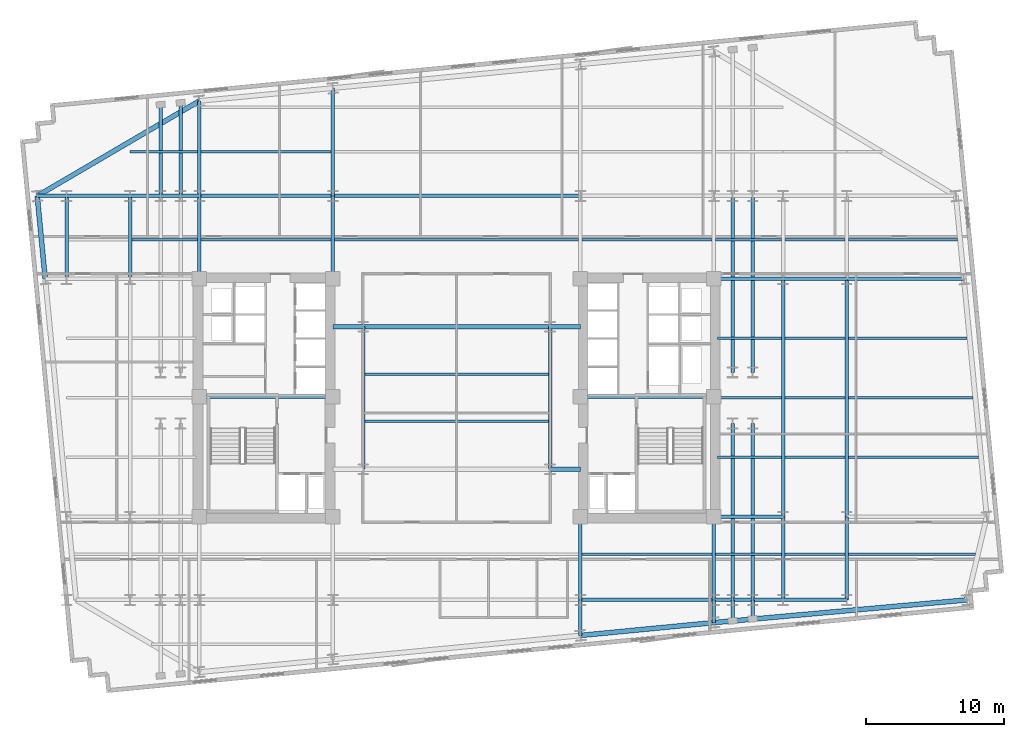
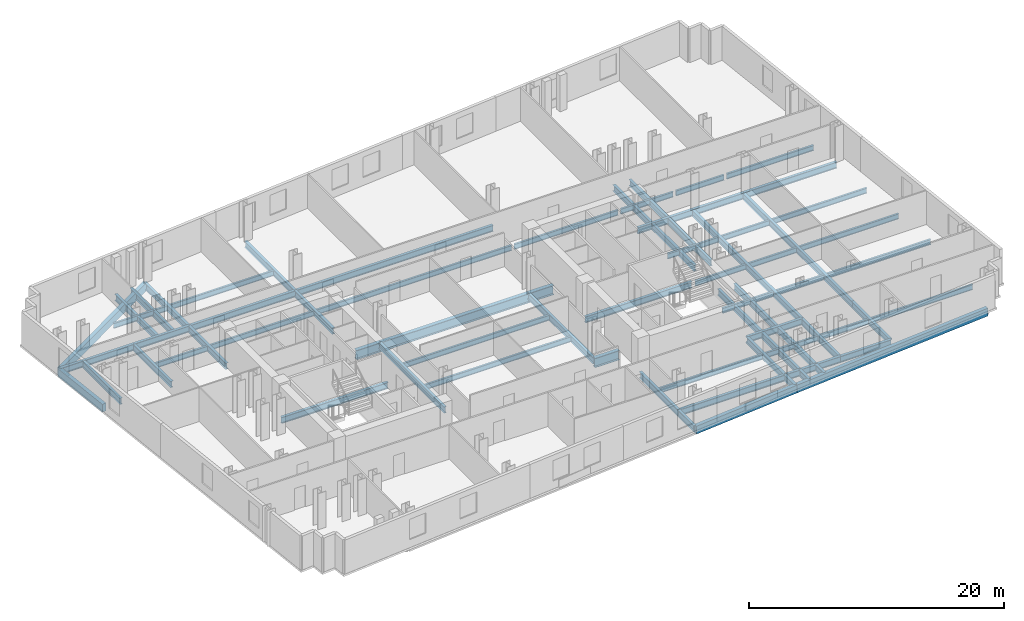
# One storey, part 2 of 11: 70 beams.
"""IFC4 building model written with IfcOpenShell, lengths in metres."""

from ifc_helpers import new_model, si_unit, direction, frame, origin, origin_2d, place, context, subcontext, project, spatial, rectangle, i_section, extrude, material, material_profile, profile_set, type_object, element, save


model = new_model("IFC4")

# Units and contexts
model_context = context("Model", 3, precision=1e-05, world=origin(), true_north=direction((0.0, 1.0)))
body_context = subcontext(model_context, "Body", "Model", "MODEL_VIEW")
ifc_project = project(units=[si_unit("LENGTHUNIT", "METRE"), si_unit("AREAUNIT", "SQUARE_METRE"), si_unit("VOLUMEUNIT", "CUBIC_METRE"), si_unit("PLANEANGLEUNIT", "RADIAN"), si_unit("MASSUNIT", "GRAM", prefix="KILO")], contexts=[model_context])

# Site, building, storey
site_placement = place(None, origin())
site = spatial("IfcSite", under=ifc_project, at=site_placement, CompositionType="ELEMENT")
building_placement = place(site_placement, origin())
building = spatial("IfcBuilding", under=site, at=building_placement, Name="Velakula Bourse", CompositionType="ELEMENT")
storey_placement = place(building_placement, frame((0.0, 0.0, 105.25)))
storey = spatial("IfcBuildingStorey", under=building, at=storey_placement, Name="L28", CompositionType="ELEMENT", Elevation=105.25)

# Beams
ifc_material_1 = material(Name="Steel IS 2062 Grade 350 (E350)", Category="steel")
ifc_material_profile_1 = material_profile(ifc_material_1, i_section(OverallWidth=0.25, OverallDepth=0.60009765625, WebThickness=0.01171875, FlangeThickness=0.023681640625, at=origin_2d()), Name="Steel IS 2062 Grade 350 (E350)")
ifc_profile_set_1 = profile_set([ifc_material_profile_1], Name="Steel IS 2062 Grade 350 (E350)")
beam_type_1 = type_object("IfcBeamType", Name="BM-GRD-600H", PredefinedType="BEAM", material=ifc_profile_set_1)
for number, where, z_axis, x_axis, name in (
    (1, (-18.60009765625, 0.10009765625, -0.47998046875), (1.0, 0.0, 0.0), (0.0, 1.0, 0.0), "L28 Primary Backbone Girder CRW-M"),
    (2, (8.949951171875, 0.10009765625, -0.47998046875), (1.0, 0.0, 0.0), (0.0, 1.0, 0.0), "L28 Primary Backbone Girder CRE-M"),
):
    element("IfcBeam", number, at=place(storey_placement, frame(where, z_axis=z_axis, x_axis=x_axis)), inside=storey, type_object=beam_type_1, Name=name, PredefinedType="BEAM", context=body_context, shape_type="SweptSolid", body=[
        extrude(i_section(OverallWidth=0.25, OverallDepth=0.60009765625, WebThickness=0.01171875, FlangeThickness=0.023681640625, at=origin_2d()), origin(), (0.0, 0.0, 1.0), 9.650146484375),
    ])
for number, where, z_axis, x_axis, name in (
    (3, (-6.75, -5.14990234375, -0.47998046875), (0.0, 1.0, 0.0), (-1.0, 0.0, 0.0), "L28 Primary Backbone Girder SPN-W"),
    (4, (6.75, -5.14990234375, -0.47998046875), (0.0, 1.0, 0.0), (-1.0, 0.0, 0.0), "L28 Primary Backbone Girder SPN-E"),
):
    element("IfcBeam", number, at=place(storey_placement, frame(where, z_axis=z_axis, x_axis=x_axis)), inside=storey, type_object=beam_type_1, Name=name, PredefinedType="BEAM", context=body_context, shape_type="SweptSolid", body=[
        extrude(i_section(OverallWidth=0.25, OverallDepth=0.60009765625, WebThickness=0.01171875, FlangeThickness=0.023681640625, at=origin_2d()), origin(), (0.0, 0.0, 1.0), 10.2998046875),
    ])
for number, where, z_axis, x_axis, name in (
    (5, (-18.60009765625, 8.60009765625, -0.47998046875), (0.0, 1.0, 0.0), (-1.0, 0.0, 0.0), "L28 Fulcrum Grid Girder FLC-WN"),
    (6, (-8.949951171875, 8.60009765625, -0.47998046875), (0.0, 1.0, 0.0), (-1.0, 0.0, 0.0), "L28 Fulcrum Grid Girder FLC-WCN"),
    (7, (8.949951171875, -14.60009765625, -0.47998046875), (0.0, 1.0, 0.0), (-1.0, 0.0, 0.0), "L28 Fulcrum Grid Girder FLC-ECS"),
    (8, (18.60009765625, -14.60009765625, -0.47998046875), (0.0, 1.0, 0.0), (-1.0, 0.0, 0.0), "L28 Fulcrum Grid Girder FLC-ES"),
):
    element("IfcBeam", number, at=place(storey_placement, frame(where, z_axis=z_axis, x_axis=x_axis)), inside=storey, type_object=beam_type_1, Name=name, PredefinedType="BEAM", context=body_context, shape_type="SweptSolid", body=[
        extrude(i_section(OverallWidth=0.25, OverallDepth=0.60009765625, WebThickness=0.01171875, FlangeThickness=0.023681640625, at=origin_2d()), origin(), (0.0, 0.0, 1.0), 6.0),
    ])
for number, where, z_axis, x_axis, name in (
    (9, (8.949951171875, -14.60009765625, -0.47998046875), (1.0, 0.0, 0.0), (0.0, 1.0, 0.0), "L28 Fulcrum Grid Girder FLC-S3"),
    (10, (-18.60009765625, 14.60009765625, -0.47998046875), (1.0, 0.0, 0.0), (0.0, 1.0, 0.0), "L28 Fulcrum Grid Girder FLC-N1"),
):
    element("IfcBeam", number, at=place(storey_placement, frame(where, z_axis=z_axis, x_axis=x_axis)), inside=storey, type_object=beam_type_1, Name=name, PredefinedType="BEAM", context=body_context, shape_type="SweptSolid", body=[
        extrude(i_section(OverallWidth=0.25, OverallDepth=0.60009765625, WebThickness=0.01171875, FlangeThickness=0.023681640625, at=origin_2d()), origin(), (0.0, 0.0, 1.0), 9.650146484375),
    ])
beam_1_placement = place(storey_placement, frame((-8.949951171875, 14.60009765625, -0.47998046875), z_axis=(1.0, 0.0, 0.0), x_axis=(0.0, 1.0, 0.0)))
element("IfcBeam", 11, at=beam_1_placement, inside=storey, type_object=beam_type_1, Name="L28 Fulcrum Grid Girder FLC-N2", PredefinedType="BEAM", context=body_context, shape_type="SweptSolid", body=[
    extrude(i_section(OverallWidth=0.25, OverallDepth=0.60009765625, WebThickness=0.01171875, FlangeThickness=0.023681640625, at=origin_2d()), origin(), (0.0, 0.0, 1.0), 17.89990234375),
])
for number, where, z_axis, x_axis, name in (
    (12, (19.949951171875, -14.60009765625, -0.47998046875), (0.0, 1.0, 0.0), (-1.0, 0.0, 0.0), "L28 Fulcrum Grid Girder FLC-PSE1"),
    (13, (19.949951171875, 1.85009765625, -0.47998046875), (0.0, 1.0, 0.0), (-1.0, 0.0, 0.0), "L28 Fulcrum Grid Girder FLC-PNE1"),
    (14, (21.39990234375, -14.60009765625, -0.47998046875), (0.0, 1.0, 0.0), (-1.0, 0.0, 0.0), "L28 Fulcrum Grid Girder FLC-PSE2"),
    (15, (21.39990234375, 1.85009765625, -0.47998046875), (0.0, 1.0, 0.0), (-1.0, 0.0, 0.0), "L28 Fulcrum Grid Girder FLC-PNE2"),
):
    element("IfcBeam", number, at=place(storey_placement, frame(where, z_axis=z_axis, x_axis=x_axis)), inside=storey, type_object=beam_type_1, Name=name, PredefinedType="BEAM", context=body_context, shape_type="SweptSolid", body=[
        extrude(i_section(OverallWidth=0.25, OverallDepth=0.60009765625, WebThickness=0.01171875, FlangeThickness=0.023681640625, at=origin_2d()), origin(), (0.0, 0.0, 1.0), 12.75),
    ])
beam_2_placement = place(storey_placement, frame((-23.60009765625, 14.60009765625, -0.47998046875), z_axis=(1.0, 0.0, 0.0), x_axis=(0.0, 1.0, 0.0)))
element("IfcBeam", 16, at=beam_2_placement, inside=storey, type_object=beam_type_1, Name="L28 Fulcrum Grid Girder MWG-WN2", PredefinedType="BEAM", context=body_context, shape_type="SweptSolid", body=[
    extrude(i_section(OverallWidth=0.25, OverallDepth=0.60009765625, WebThickness=0.01171875, FlangeThickness=0.023681640625, at=origin_2d()), origin(), (0.0, 0.0, 1.0), 5.0),
])
beam_3_placement = place(storey_placement, frame((-23.60009765625, 8.60009765625, -0.47998046875), z_axis=(0.0, 1.0, 0.0), x_axis=(-1.0, 0.0, 0.0)))
element("IfcBeam", 17, at=beam_3_placement, inside=storey, type_object=beam_type_1, Name="L28 Fulcrum Grid Girder MWG-WNS3", PredefinedType="BEAM", context=body_context, shape_type="SweptSolid", body=[
    extrude(i_section(OverallWidth=0.25, OverallDepth=0.60009765625, WebThickness=0.01171875, FlangeThickness=0.023681640625, at=origin_2d()), origin(), (0.0, 0.0, 1.0), 6.0),
])
for number, where, z_axis, x_axis, name in (
    (18, (18.60009765625, -14.60009765625, -0.47998046875), (1.0, 0.0, 0.0), (0.0, 1.0, 0.0), "L28 Fulcrum Grid Girder MWG-ES1"),
    (19, (18.60009765625, -8.60009765625, -0.47998046875), (1.0, 0.0, 0.0), (0.0, 1.0, 0.0), "L28 Fulcrum Grid Girder MWG-ES2"),
    (20, (18.60009765625, 8.60009765625, -0.47998046875), (1.0, 0.0, 0.0), (0.0, 1.0, 0.0), "L28 Fulcrum Grid Girder MWG-EN1"),
):
    element("IfcBeam", number, at=place(storey_placement, frame(where, z_axis=z_axis, x_axis=x_axis)), inside=storey, type_object=beam_type_1, Name=name, PredefinedType="BEAM", context=body_context, shape_type="SweptSolid", body=[
        extrude(i_section(OverallWidth=0.25, OverallDepth=0.60009765625, WebThickness=0.01171875, FlangeThickness=0.023681640625, at=origin_2d()), origin(), (0.0, 0.0, 1.0), 5.0),
    ])
beam_4_placement = place(storey_placement, frame((23.60009765625, -14.60009765625, -0.47998046875), z_axis=(0.0, 1.0, 0.0), x_axis=(-1.0, 0.0, 0.0)))
element("IfcBeam", 21, at=beam_4_placement, inside=storey, type_object=beam_type_1, Name="L28 Fulcrum Grid Girder MWG-ENS1", PredefinedType="BEAM", context=body_context, shape_type="SweptSolid", body=[
    extrude(i_section(OverallWidth=0.25, OverallDepth=0.60009765625, WebThickness=0.01171875, FlangeThickness=0.023681640625, at=origin_2d()), origin(), (0.0, 0.0, 1.0), 6.0),
])
beam_5_placement = place(storey_placement, frame((23.60009765625, -8.60009765625, -0.47998046875), z_axis=(0.0, 1.0, 0.0), x_axis=(-1.0, 0.0, 0.0)))
element("IfcBeam", 22, at=beam_5_placement, inside=storey, type_object=beam_type_1, Name="L28 Fulcrum Grid Girder MWG-ENS2", PredefinedType="BEAM", context=body_context, shape_type="SweptSolid", body=[
    extrude(i_section(OverallWidth=0.25, OverallDepth=0.60009765625, WebThickness=0.01171875, FlangeThickness=0.023681640625, at=origin_2d()), origin(), (0.0, 0.0, 1.0), 17.2001953125),
])
beam_6_placement = place(storey_placement, frame((-28.199951171875, 14.60009765625, -0.47998046875), z_axis=(1.0, 0.0, 0.0), x_axis=(0.0, 1.0, 0.0)))
element("IfcBeam", 23, at=beam_6_placement, inside=storey, type_object=beam_type_1, Name="L28 Fulcrum Grid Girder WNG-WN2", PredefinedType="BEAM", context=body_context, shape_type="SweptSolid", body=[
    extrude(i_section(OverallWidth=0.25, OverallDepth=0.60009765625, WebThickness=0.01171875, FlangeThickness=0.023681640625, at=origin_2d()), origin(), (0.0, 0.0, 1.0), 4.599853515625),
])
beam_7_placement = place(storey_placement, frame((-28.199951171875, 8.60009765625, -0.47998046875), z_axis=(0.0, 1.0, 0.0), x_axis=(-1.0, 0.0, 0.0)))
element("IfcBeam", 24, at=beam_7_placement, inside=storey, type_object=beam_type_1, Name="L28 Fulcrum Grid Girder WNG-WNS3", PredefinedType="BEAM", context=body_context, shape_type="SweptSolid", body=[
    extrude(i_section(OverallWidth=0.25, OverallDepth=0.60009765625, WebThickness=0.01171875, FlangeThickness=0.023681640625, at=origin_2d()), origin(), (0.0, 0.0, 1.0), 6.0),
])
for number, where, z_axis, x_axis, name in (
    (25, (23.60009765625, -14.60009765625, -0.47998046875), (1.0, 0.0, 0.0), (0.0, 1.0, 0.0), "L28 Fulcrum Grid Girder WNG-ES1"),
    (26, (23.60009765625, 8.60009765625, -0.47998046875), (1.0, 0.0, 0.0), (0.0, 1.0, 0.0), "L28 Fulcrum Grid Girder WNG-EN1"),
):
    element("IfcBeam", number, at=place(storey_placement, frame(where, z_axis=z_axis, x_axis=x_axis)), inside=storey, type_object=beam_type_1, Name=name, PredefinedType="BEAM", context=body_context, shape_type="SweptSolid", body=[
        extrude(i_section(OverallWidth=0.25, OverallDepth=0.60009765625, WebThickness=0.01171875, FlangeThickness=0.023681640625, at=origin_2d()), origin(), (0.0, 0.0, 1.0), 4.599853515625),
    ])
beam_8_placement = place(storey_placement, frame((28.199951171875, -14.60009765625, -0.47998046875), z_axis=(0.0, 1.0, 0.0), x_axis=(-1.0, 0.0, 0.0)))
element("IfcBeam", 27, at=beam_8_placement, inside=storey, type_object=beam_type_1, Name="L28 Fulcrum Grid Girder WNG-ENS1", PredefinedType="BEAM", context=body_context, shape_type="SweptSolid", body=[
    extrude(i_section(OverallWidth=0.25, OverallDepth=0.60009765625, WebThickness=0.01171875, FlangeThickness=0.023681640625, at=origin_2d()), origin(), (0.0, 0.0, 1.0), 6.0),
])
beam_9_placement = place(storey_placement, frame((28.199951171875, -8.60009765625, -0.47998046875), z_axis=(0.0, 1.0, 0.0), x_axis=(-1.0, 0.0, 0.0)))
element("IfcBeam", 28, at=beam_9_placement, inside=storey, type_object=beam_type_1, Name="L28 Fulcrum Grid Girder WNG-ENS2", PredefinedType="BEAM", context=body_context, shape_type="SweptSolid", body=[
    extrude(i_section(OverallWidth=0.25, OverallDepth=0.60009765625, WebThickness=0.01171875, FlangeThickness=0.023681640625, at=origin_2d()), origin(), (0.0, 0.0, 1.0), 17.2001953125),
])
beam_10_placement = place(storey_placement, frame((8.949951171875, -14.60009765625, -0.47998046875), z_axis=(0.0, -1.0, 0.0), x_axis=(1.0, 0.0, 0.0)))
element("IfcBeam", 29, at=beam_10_placement, inside=storey, type_object=beam_type_1, Name="L28 Perimeter Tie Girder S3", PredefinedType="BEAM", context=body_context, shape_type="SweptSolid", body=[
    extrude(i_section(OverallWidth=0.25, OverallDepth=0.60009765625, WebThickness=0.01171875, FlangeThickness=0.023681640625, at=origin_2d()), origin(), (0.0, 0.0, 1.0), 2.568359375),
])
beam_11_placement = place(storey_placement, frame((18.60009765625, -14.60009765625, -0.47998046875), z_axis=(0.0, -1.0, 0.0), x_axis=(1.0, 0.0, 0.0)))
element("IfcBeam", 30, at=beam_11_placement, inside=storey, type_object=beam_type_1, Name="L28 Perimeter Tie Girder S4", PredefinedType="BEAM", context=body_context, shape_type="SweptSolid", body=[
    extrude(i_section(OverallWidth=0.25, OverallDepth=0.60009765625, WebThickness=0.01171875, FlangeThickness=0.023681640625, at=origin_2d()), origin(), (0.0, 0.0, 1.0), 1.63916015625),
])
beam_12_placement = place(storey_placement, frame((-18.60009765625, 14.60009765625, -0.47998046875), z_axis=(0.0, 1.0, 0.0), x_axis=(-1.0, 0.0, 0.0)))
element("IfcBeam", 31, at=beam_12_placement, inside=storey, type_object=beam_type_1, Name="L28 Perimeter Tie Girder N1", PredefinedType="BEAM", context=body_context, shape_type="SweptSolid", body=[
    extrude(i_section(OverallWidth=0.25, OverallDepth=0.60009765625, WebThickness=0.01171875, FlangeThickness=0.023681640625, at=origin_2d()), origin(), (0.0, 0.0, 1.0), 6.868896484375),
])
beam_13_placement = place(storey_placement, frame((-8.949951171875, 14.60009765625, -0.47998046875), z_axis=(0.0, 1.0, 0.0), x_axis=(-1.0, 0.0, 0.0)))
element("IfcBeam", 32, at=beam_13_placement, inside=storey, type_object=beam_type_1, Name="L28 Perimeter Tie Girder N2", PredefinedType="BEAM", context=body_context, shape_type="SweptSolid", body=[
    extrude(i_section(OverallWidth=0.25, OverallDepth=0.60009765625, WebThickness=0.01171875, FlangeThickness=0.023681640625, at=origin_2d()), origin(), (0.0, 0.0, 1.0), 7.798095703125),
])
beam_14_placement = place(storey_placement, frame((-28.199951171875, 14.60009765625, -0.47998046875), z_axis=(-1.0, 0.0, 0.0), x_axis=(0.0, -1.0, 0.0)))
element("IfcBeam", 33, at=beam_14_placement, inside=storey, type_object=beam_type_1, Name="L28 Perimeter Tie Girder W4", PredefinedType="BEAM", context=body_context, shape_type="SweptSolid", body=[
    extrude(i_section(OverallWidth=0.25, OverallDepth=0.60009765625, WebThickness=0.01171875, FlangeThickness=0.023681640625, at=origin_2d()), origin(), (0.0, 0.0, 1.0), 2.119873046875),
])
beam_15_placement = place(storey_placement, frame((28.199951171875, 8.60009765625, -0.47998046875), z_axis=(1.0, 0.0, 0.0), x_axis=(0.0, 1.0, 0.0)))
element("IfcBeam", 34, at=beam_15_placement, inside=storey, type_object=beam_type_1, Name="L28 Perimeter Tie Girder E3", PredefinedType="BEAM", context=body_context, shape_type="SweptSolid", body=[
    extrude(i_section(OverallWidth=0.25, OverallDepth=0.60009765625, WebThickness=0.01171875, FlangeThickness=0.023681640625, at=origin_2d()), origin(), (0.0, 0.0, 1.0), 8.463623046875),
])
beam_16_placement = place(storey_placement, frame((19.949951171875, -14.60009765625, -0.47998046875), z_axis=(0.0, -1.0, 0.0), x_axis=(1.0, 0.0, 0.0)))
element("IfcBeam", 35, at=beam_16_placement, inside=storey, type_object=beam_type_1, Name="L28 Perimeter Tie Girder P03", PredefinedType="BEAM", context=body_context, shape_type="SweptSolid", body=[
    extrude(i_section(OverallWidth=0.25, OverallDepth=0.60009765625, WebThickness=0.01171875, FlangeThickness=0.023681640625, at=origin_2d()), origin(), (0.0, 0.0, 1.0), 1.509033203125),
])
beam_17_placement = place(storey_placement, frame((21.39990234375, -14.60009765625, -0.47998046875), z_axis=(0.0, -1.0, 0.0), x_axis=(1.0, 0.0, 0.0)))
element("IfcBeam", 36, at=beam_17_placement, inside=storey, type_object=beam_type_1, Name="L28 Perimeter Tie Girder P04", PredefinedType="BEAM", context=body_context, shape_type="SweptSolid", body=[
    extrude(i_section(OverallWidth=0.25, OverallDepth=0.60009765625, WebThickness=0.01171875, FlangeThickness=0.023681640625, at=origin_2d()), origin(), (0.0, 0.0, 1.0), 1.369384765625),
])
beam_18_placement = place(storey_placement, frame((-21.39990234375, 14.60009765625, -0.47998046875), z_axis=(0.0, 1.0, 0.0), x_axis=(-1.0, 0.0, 0.0)))
element("IfcBeam", 37, at=beam_18_placement, inside=storey, type_object=beam_type_1, Name="L28 Perimeter Tie Girder P05", PredefinedType="BEAM", context=body_context, shape_type="SweptSolid", body=[
    extrude(i_section(OverallWidth=0.25, OverallDepth=0.60009765625, WebThickness=0.01171875, FlangeThickness=0.023681640625, at=origin_2d()), origin(), (0.0, 0.0, 1.0), 6.59912109375),
])
beam_19_placement = place(storey_placement, frame((-19.949951171875, 14.60009765625, -0.47998046875), z_axis=(0.0, 1.0, 0.0), x_axis=(-1.0, 0.0, 0.0)))
element("IfcBeam", 38, at=beam_19_placement, inside=storey, type_object=beam_type_1, Name="L28 Perimeter Tie Girder P06", PredefinedType="BEAM", context=body_context, shape_type="SweptSolid", body=[
    extrude(i_section(OverallWidth=0.25, OverallDepth=0.60009765625, WebThickness=0.01171875, FlangeThickness=0.023681640625, at=origin_2d()), origin(), (0.0, 0.0, 1.0), 6.73876953125),
])
ifc_material_profile_2 = material_profile(ifc_material_1, i_section(OverallWidth=0.35009765625, OverallDepth=0.89990234375, WebThickness=0.02001953125, FlangeThickness=0.031982421875, at=origin_2d()), Name="Steel IS 2062 Grade 350 (E350)")
ifc_profile_set_2 = profile_set([ifc_material_profile_2], Name="Steel IS 2062 Grade 350 (E350)")
beam_type_2 = type_object("IfcBeamType", Name="BM-LNK-900", PredefinedType="BEAM", material=ifc_profile_set_2)
for number, where, z_axis, x_axis, name in (
    (39, (6.75, -5.14990234375, -0.6298828125), (1.0, 0.0, 0.0), (0.0, 1.0, 0.0), "L28 Primary Backbone Girder LNK-S3"),
    (40, (-8.949951171875, 5.14990234375, -0.6298828125), (1.0, 0.0, 0.0), (0.0, 1.0, 0.0), "L28 Primary Backbone Girder LNK-N1"),
):
    element("IfcBeam", number, at=place(storey_placement, frame(where, z_axis=z_axis, x_axis=x_axis)), inside=storey, type_object=beam_type_2, Name=name, PredefinedType="BEAM", context=body_context, shape_type="SweptSolid", body=[
        extrude(i_section(OverallWidth=0.35009765625, OverallDepth=0.89990234375, WebThickness=0.02001953125, FlangeThickness=0.031982421875, at=origin_2d()), origin(), (0.0, 0.0, 1.0), 2.199951171875),
    ])
beam_20_placement = place(storey_placement, frame((-6.75, 5.14990234375, -0.6298828125), z_axis=(1.0, 0.0, 0.0), x_axis=(0.0, 1.0, 0.0)))
element("IfcBeam", 41, at=beam_20_placement, inside=storey, type_object=beam_type_2, Name="L28 Primary Backbone Girder LNK-N2", PredefinedType="BEAM", context=body_context, shape_type="SweptSolid", body=[
    extrude(i_section(OverallWidth=0.35009765625, OverallDepth=0.89990234375, WebThickness=0.02001953125, FlangeThickness=0.031982421875, at=origin_2d()), origin(), (0.0, 0.0, 1.0), 13.5),
])
beam_21_placement = place(storey_placement, frame((6.75, 5.14990234375, -0.6298828125), z_axis=(1.0, 0.0, 0.0), x_axis=(0.0, 1.0, 0.0)))
element("IfcBeam", 42, at=beam_21_placement, inside=storey, type_object=beam_type_2, Name="L28 Primary Backbone Girder LNK-N3", PredefinedType="BEAM", context=body_context, shape_type="SweptSolid", body=[
    extrude(i_section(OverallWidth=0.35009765625, OverallDepth=0.89990234375, WebThickness=0.02001953125, FlangeThickness=0.031982421875, at=origin_2d()), origin(), (0.0, 0.0, 1.0), 2.199951171875),
])
ifc_material_profile_3 = material_profile(ifc_material_1, i_section(OverallWidth=0.179931640625, OverallDepth=0.5, WebThickness=0.01025390625, FlangeThickness=0.01708984375, at=origin_2d()), Name="Steel IS 2062 Grade 350 (E350)")
ifc_profile_set_3 = profile_set([ifc_material_profile_3], Name="Steel IS 2062 Grade 350 (E350)")
beam_type_3 = type_object("IfcBeamType", Name="JST-TWR-500", PredefinedType="JOIST", material=ifc_profile_set_3)
beam_22_placement = place(storey_placement, frame((9.074951171875, -11.300048828125, -0.429931640625), z_axis=(1.0, 0.0, 0.0), x_axis=(0.0, 1.0, 0.0)))
element("IfcBeam", 43, at=beam_22_placement, inside=storey, type_object=beam_type_3, Name="L28 Trading Floor Composite Joist 08", PredefinedType="JOIST", context=body_context, shape_type="SweptSolid", body=[
    extrude(i_section(OverallWidth=0.179931640625, OverallDepth=0.5, WebThickness=0.01025390625, FlangeThickness=0.01708984375, at=origin_2d()), origin(), (0.0, 0.0, 1.0), 9.400146484375),
])
beam_23_placement = place(storey_placement, frame((18.72509765625, -11.300048828125, -0.429931640625), z_axis=(1.0, 0.0, 0.0), x_axis=(0.0, 1.0, 0.0)))
element("IfcBeam", 44, at=beam_23_placement, inside=storey, type_object=beam_type_3, Name="L28 Trading Floor Composite Joist 09", PredefinedType="JOIST", context=body_context, shape_type="SweptSolid", body=[
    extrude(i_section(OverallWidth=0.179931640625, OverallDepth=0.5, WebThickness=0.01025390625, FlangeThickness=0.01708984375, at=origin_2d()), origin(), (0.0, 0.0, 1.0), 4.75),
])
beam_24_placement = place(storey_placement, frame((23.72509765625, -11.300048828125, -0.429931640625), z_axis=(1.0, 0.0, 0.0), x_axis=(0.0, 1.0, 0.0)))
element("IfcBeam", 45, at=beam_24_placement, inside=storey, type_object=beam_type_3, Name="L28 Trading Floor Composite Joist 10", PredefinedType="JOIST", context=body_context, shape_type="SweptSolid", body=[
    extrude(i_section(OverallWidth=0.179931640625, OverallDepth=0.5, WebThickness=0.01025390625, FlangeThickness=0.01708984375, at=origin_2d()), origin(), (0.0, 0.0, 1.0), 4.349853515625),
])
beam_25_placement = place(storey_placement, frame((28.324951171875, -11.300048828125, -0.429931640625), z_axis=(1.0, 0.0, 0.0), x_axis=(0.0, 1.0, 0.0)))
element("IfcBeam", 46, at=beam_25_placement, inside=storey, type_object=beam_type_3, Name="L28 Trading Floor Composite Joist 11", PredefinedType="JOIST", context=body_context, shape_type="SweptSolid", body=[
    extrude(i_section(OverallWidth=0.179931640625, OverallDepth=0.5, WebThickness=0.01025390625, FlangeThickness=0.01708984375, at=origin_2d()), origin(), (0.0, 0.0, 1.0), 9.170654296875),
])
beam_26_placement = place(storey_placement, frame((-23.47509765625, 11.449951171875, -0.429931640625), z_axis=(1.0, 0.0, 0.0), x_axis=(0.0, 1.0, 0.0)))
element("IfcBeam", 47, at=beam_26_placement, inside=storey, type_object=beam_type_3, Name="L28 Trading Floor Composite Joist 13", PredefinedType="JOIST", context=body_context, shape_type="SweptSolid", body=[
    extrude(i_section(OverallWidth=0.179931640625, OverallDepth=0.5, WebThickness=0.01025390625, FlangeThickness=0.01708984375, at=origin_2d()), origin(), (0.0, 0.0, 1.0), 4.75),
])
beam_27_placement = place(storey_placement, frame((-18.47509765625, 11.449951171875, -0.429931640625), z_axis=(1.0, 0.0, 0.0), x_axis=(0.0, 1.0, 0.0)))
element("IfcBeam", 48, at=beam_27_placement, inside=storey, type_object=beam_type_3, Name="L28 Trading Floor Composite Joist 14", PredefinedType="JOIST", context=body_context, shape_type="SweptSolid", body=[
    extrude(i_section(OverallWidth=0.179931640625, OverallDepth=0.5, WebThickness=0.01025390625, FlangeThickness=0.01708984375, at=origin_2d()), origin(), (0.0, 0.0, 1.0), 9.400146484375),
])
beam_28_placement = place(storey_placement, frame((-8.824951171875, 11.449951171875, -0.429931640625), z_axis=(1.0, 0.0, 0.0), x_axis=(0.0, 1.0, 0.0)))
element("IfcBeam", 49, at=beam_28_placement, inside=storey, type_object=beam_type_3, Name="L28 Trading Floor Composite Joist 15", PredefinedType="JOIST", context=body_context, shape_type="SweptSolid", body=[
    extrude(i_section(OverallWidth=0.179931640625, OverallDepth=0.5, WebThickness=0.01025390625, FlangeThickness=0.01708984375, at=origin_2d()), origin(), (0.0, 0.0, 1.0), 17.64990234375),
])
beam_29_placement = place(storey_placement, frame((9.074951171875, 11.449951171875, -0.429931640625), z_axis=(1.0, 0.0, 0.0), x_axis=(0.0, 1.0, 0.0)))
element("IfcBeam", 50, at=beam_29_placement, inside=storey, type_object=beam_type_3, Name="L28 Trading Floor Composite Joist 16", PredefinedType="JOIST", context=body_context, shape_type="SweptSolid", body=[
    extrude(i_section(OverallWidth=0.179931640625, OverallDepth=0.5, WebThickness=0.01025390625, FlangeThickness=0.01708984375, at=origin_2d()), origin(), (0.0, 0.0, 1.0), 9.400146484375),
])
beam_30_placement = place(storey_placement, frame((18.72509765625, 11.449951171875, -0.429931640625), z_axis=(1.0, 0.0, 0.0), x_axis=(0.0, 1.0, 0.0)))
element("IfcBeam", 51, at=beam_30_placement, inside=storey, type_object=beam_type_3, Name="L28 Trading Floor Composite Joist 17", PredefinedType="JOIST", context=body_context, shape_type="SweptSolid", body=[
    extrude(i_section(OverallWidth=0.179931640625, OverallDepth=0.5, WebThickness=0.01025390625, FlangeThickness=0.01708984375, at=origin_2d()), origin(), (0.0, 0.0, 1.0), 4.75),
])
beam_31_placement = place(storey_placement, frame((23.72509765625, 11.449951171875, -0.429931640625), z_axis=(1.0, 0.0, 0.0), x_axis=(0.0, 1.0, 0.0)))
element("IfcBeam", 52, at=beam_31_placement, inside=storey, type_object=beam_type_3, Name="L28 Trading Floor Composite Joist 18", PredefinedType="JOIST", context=body_context, shape_type="SweptSolid", body=[
    extrude(i_section(OverallWidth=0.179931640625, OverallDepth=0.5, WebThickness=0.01025390625, FlangeThickness=0.01708984375, at=origin_2d()), origin(), (0.0, 0.0, 1.0), 4.349853515625),
])
beam_32_placement = place(storey_placement, frame((28.324951171875, 11.449951171875, -0.429931640625), z_axis=(1.0, 0.0, 0.0), x_axis=(0.0, 1.0, 0.0)))
element("IfcBeam", 53, at=beam_32_placement, inside=storey, type_object=beam_type_3, Name="L28 Trading Floor Composite Joist 19", PredefinedType="JOIST", context=body_context, shape_type="SweptSolid", body=[
    extrude(i_section(OverallWidth=0.179931640625, OverallDepth=0.5, WebThickness=0.01025390625, FlangeThickness=0.01708984375, at=origin_2d()), origin(), (0.0, 0.0, 1.0), 7.888427734375),
])
beam_33_placement = place(storey_placement, frame((-23.60009765625, 17.800048828125, -0.429931640625), z_axis=(1.0, 0.0, 0.0), x_axis=(0.0, 1.0, 0.0)))
element("IfcBeam", 54, at=beam_33_placement, inside=storey, type_object=beam_type_3, Name="L28 Trading Floor Composite Joist 20", PredefinedType="JOIST", context=body_context, shape_type="SweptSolid", body=[
    extrude(i_section(OverallWidth=0.179931640625, OverallDepth=0.5, WebThickness=0.01025390625, FlangeThickness=0.01708984375, at=origin_2d()), origin(), (0.0, 0.0, 1.0), 4.875),
])
beam_34_placement = place(storey_placement, frame((-18.47509765625, 17.800048828125, -0.429931640625), z_axis=(1.0, 0.0, 0.0), x_axis=(0.0, 1.0, 0.0)))
element("IfcBeam", 55, at=beam_34_placement, inside=storey, type_object=beam_type_3, Name="L28 Trading Floor Composite Joist 21", PredefinedType="JOIST", context=body_context, shape_type="SweptSolid", body=[
    extrude(i_section(OverallWidth=0.179931640625, OverallDepth=0.5, WebThickness=0.01025390625, FlangeThickness=0.01708984375, at=origin_2d()), origin(), (0.0, 0.0, 1.0), 9.400146484375),
])
for number, where, z_axis, x_axis, name in (
    (56, (-6.625, -1.699951171875, -0.429931640625), (1.0, 0.0, 0.0), (0.0, 1.0, 0.0), "L28 Trading Floor Composite Joist 31"),
    (57, (-6.625, 1.699951171875, -0.429931640625), (1.0, 0.0, 0.0), (0.0, 1.0, 0.0), "L28 Trading Floor Composite Joist 32"),
):
    element("IfcBeam", number, at=place(storey_placement, frame(where, z_axis=z_axis, x_axis=x_axis)), inside=storey, type_object=beam_type_3, Name=name, PredefinedType="JOIST", context=body_context, shape_type="SweptSolid", body=[
        extrude(i_section(OverallWidth=0.179931640625, OverallDepth=0.5, WebThickness=0.01025390625, FlangeThickness=0.01708984375, at=origin_2d()), origin(), (0.0, 0.0, 1.0), 13.25),
    ])
beam_35_placement = place(storey_placement, frame((18.85009765625, -4.300048828125, -0.429931640625), z_axis=(1.0, 0.0, 0.0), x_axis=(0.0, 1.0, 0.0)))
element("IfcBeam", 58, at=beam_35_placement, inside=storey, type_object=beam_type_3, Name="L28 Trading Floor Composite Joist 35", PredefinedType="JOIST", context=body_context, shape_type="SweptSolid", body=[
    extrude(i_section(OverallWidth=0.179931640625, OverallDepth=0.5, WebThickness=0.01025390625, FlangeThickness=0.01708984375, at=origin_2d()), origin(), (0.0, 0.0, 1.0), 4.625),
])
beam_36_placement = place(storey_placement, frame((23.72509765625, -4.300048828125, -0.429931640625), z_axis=(1.0, 0.0, 0.0), x_axis=(0.0, 1.0, 0.0)))
element("IfcBeam", 59, at=beam_36_placement, inside=storey, type_object=beam_type_3, Name="L28 Trading Floor Composite Joist 36", PredefinedType="JOIST", context=body_context, shape_type="SweptSolid", body=[
    extrude(i_section(OverallWidth=0.179931640625, OverallDepth=0.5, WebThickness=0.01025390625, FlangeThickness=0.01708984375, at=origin_2d()), origin(), (0.0, 0.0, 1.0), 4.349853515625),
])
beam_37_placement = place(storey_placement, frame((28.324951171875, -4.300048828125, -0.429931640625), z_axis=(1.0, 0.0, 0.0), x_axis=(0.0, 1.0, 0.0)))
element("IfcBeam", 60, at=beam_37_placement, inside=storey, type_object=beam_type_3, Name="L28 Trading Floor Composite Joist 37", PredefinedType="JOIST", context=body_context, shape_type="SweptSolid", body=[
    extrude(i_section(OverallWidth=0.179931640625, OverallDepth=0.5, WebThickness=0.01025390625, FlangeThickness=0.01708984375, at=origin_2d()), origin(), (0.0, 0.0, 1.0), 9.405029296875),
])
beam_38_placement = place(storey_placement, frame((18.85009765625, 0.0, -0.429931640625), z_axis=(1.0, 0.0, 0.0), x_axis=(0.0, 1.0, 0.0)))
element("IfcBeam", 61, at=beam_38_placement, inside=storey, type_object=beam_type_3, Name="L28 Trading Floor Composite Joist 40", PredefinedType="JOIST", context=body_context, shape_type="SweptSolid", body=[
    extrude(i_section(OverallWidth=0.179931640625, OverallDepth=0.5, WebThickness=0.01025390625, FlangeThickness=0.01708984375, at=origin_2d()), origin(), (0.0, 0.0, 1.0), 4.625),
])
beam_39_placement = place(storey_placement, frame((23.72509765625, 0.0, -0.429931640625), z_axis=(1.0, 0.0, 0.0), x_axis=(0.0, 1.0, 0.0)))
element("IfcBeam", 62, at=beam_39_placement, inside=storey, type_object=beam_type_3, Name="L28 Trading Floor Composite Joist 41", PredefinedType="JOIST", context=body_context, shape_type="SweptSolid", body=[
    extrude(i_section(OverallWidth=0.179931640625, OverallDepth=0.5, WebThickness=0.01025390625, FlangeThickness=0.01708984375, at=origin_2d()), origin(), (0.0, 0.0, 1.0), 4.349853515625),
])
beam_40_placement = place(storey_placement, frame((28.324951171875, 0.0, -0.429931640625), z_axis=(1.0, 0.0, 0.0), x_axis=(0.0, 1.0, 0.0)))
element("IfcBeam", 63, at=beam_40_placement, inside=storey, type_object=beam_type_3, Name="L28 Trading Floor Composite Joist 42", PredefinedType="JOIST", context=body_context, shape_type="SweptSolid", body=[
    extrude(i_section(OverallWidth=0.179931640625, OverallDepth=0.5, WebThickness=0.01025390625, FlangeThickness=0.01708984375, at=origin_2d()), origin(), (0.0, 0.0, 1.0), 8.990966796875),
])
beam_41_placement = place(storey_placement, frame((18.85009765625, 4.300048828125, -0.429931640625), z_axis=(1.0, 0.0, 0.0), x_axis=(0.0, 1.0, 0.0)))
element("IfcBeam", 64, at=beam_41_placement, inside=storey, type_object=beam_type_3, Name="L28 Trading Floor Composite Joist 45", PredefinedType="JOIST", context=body_context, shape_type="SweptSolid", body=[
    extrude(i_section(OverallWidth=0.179931640625, OverallDepth=0.5, WebThickness=0.01025390625, FlangeThickness=0.01708984375, at=origin_2d()), origin(), (0.0, 0.0, 1.0), 4.625),
])
beam_42_placement = place(storey_placement, frame((23.72509765625, 4.300048828125, -0.429931640625), z_axis=(1.0, 0.0, 0.0), x_axis=(0.0, 1.0, 0.0)))
element("IfcBeam", 65, at=beam_42_placement, inside=storey, type_object=beam_type_3, Name="L28 Trading Floor Composite Joist 46", PredefinedType="JOIST", context=body_context, shape_type="SweptSolid", body=[
    extrude(i_section(OverallWidth=0.179931640625, OverallDepth=0.5, WebThickness=0.01025390625, FlangeThickness=0.01708984375, at=origin_2d()), origin(), (0.0, 0.0, 1.0), 4.349853515625),
])
beam_43_placement = place(storey_placement, frame((28.324951171875, 4.300048828125, -0.429931640625), z_axis=(1.0, 0.0, 0.0), x_axis=(0.0, 1.0, 0.0)))
element("IfcBeam", 66, at=beam_43_placement, inside=storey, type_object=beam_type_3, Name="L28 Trading Floor Composite Joist 47", PredefinedType="JOIST", context=body_context, shape_type="SweptSolid", body=[
    extrude(i_section(OverallWidth=0.179931640625, OverallDepth=0.5, WebThickness=0.01025390625, FlangeThickness=0.01708984375, at=origin_2d()), origin(), (0.0, 0.0, 1.0), 8.576904296875),
])
ifc_material_2 = material(Name="Precast concrete M45 (fck 45 MPa)", Category="concrete")
ifc_material_profile_4 = material_profile(ifc_material_2, rectangle(XDim=0.35009765625, YDim=0.75, at=origin_2d()), Name="Precast concrete M45 (fck 45 MPa)")
ifc_profile_set_4 = profile_set([ifc_material_profile_4], Name="Precast concrete M45 (fck 45 MPa)")
beam_type_4 = type_object("IfcBeamType", Name="SPN-BRICK-750", PredefinedType="SPANDREL", material=ifc_profile_set_4)
beam_44_placement = place(storey_placement, frame((8.949951171875, -17.16845703125, -0.554931640625), z_axis=(0.99539623971, 0.095845323155, 0.0), x_axis=(-0.095845323155, 0.99539623971, 0.0)))
element("IfcBeam", 67, at=beam_44_placement, inside=storey, type_object=beam_type_4, Name="L28 Brick-Faced Precast Spandrel S3-S4", PredefinedType="SPANDREL", context=body_context, shape_type="SweptSolid", body=[
    extrude(rectangle(XDim=0.35009765625, YDim=0.75, at=origin_2d()), origin(), (0.0, 0.0, 1.0), 9.69482421875),
])
beam_45_placement = place(storey_placement, frame((-29.7421875, 8.60009765625, -0.554931640625), z_axis=(-0.095829714309, 0.995397742541, 0.0), x_axis=(-0.995397742541, -0.095829714309, 0.0)))
element("IfcBeam", 68, at=beam_45_placement, inside=storey, type_object=beam_type_4, Name="L28 Brick-Faced Precast Spandrel W3-W4", PredefinedType="SPANDREL", context=body_context, shape_type="SweptSolid", body=[
    extrude(rectangle(XDim=0.35009765625, YDim=0.75, at=origin_2d()), origin(), (0.0, 0.0, 1.0), 6.02783203125),
])
beam_46_placement = place(storey_placement, frame((18.60009765625, -16.2392578125, -0.554931640625), z_axis=(0.99600727708, 0.089272078527, 0.0), x_axis=(-0.089272078527, 0.99600727708, 0.0)))
element("IfcBeam", 69, at=beam_46_placement, inside=storey, type_object=beam_type_4, Name="L28 Brick-Faced Precast Spandrel S4-E1", PredefinedType="SPANDREL", context=body_context, shape_type="SweptSolid", body=[
    extrude(rectangle(XDim=0.35009765625, YDim=0.75, at=origin_2d()), origin(), (0.0, 0.0, 1.0), 18.361328125),
])
beam_47_placement = place(storey_placement, frame((-18.60009765625, 21.468994140625, -0.554931640625), z_axis=(-0.862739335169, -0.505648929151, 0.0), x_axis=(0.505648929151, -0.862739335169, 0.0)))
element("IfcBeam", 70, at=beam_47_placement, inside=storey, type_object=beam_type_4, Name="L28 Brick-Faced Precast Spandrel N1-W4", PredefinedType="SPANDREL", context=body_context, shape_type="SweptSolid", body=[
    extrude(rectangle(XDim=0.35009765625, YDim=0.75, at=origin_2d()), origin(), (0.0, 0.0, 1.0), 13.584228515625),
])

save(model, "model.ifc")
